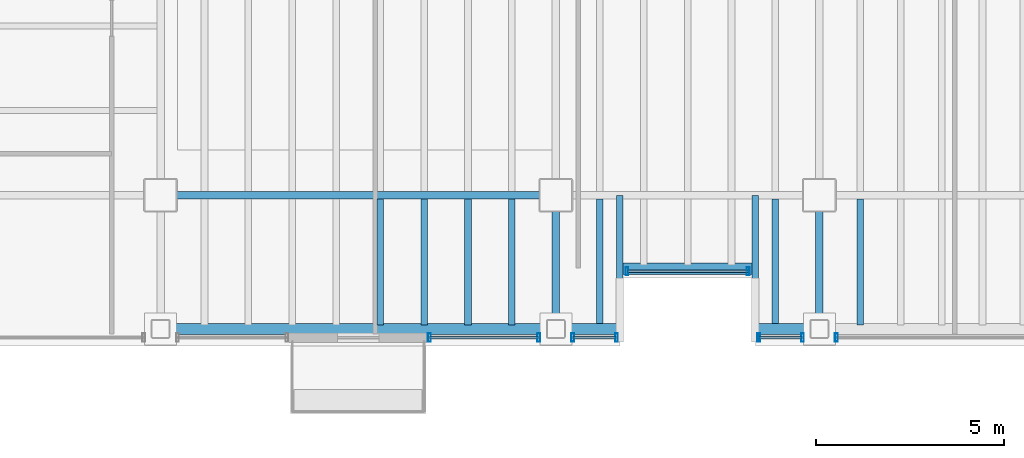
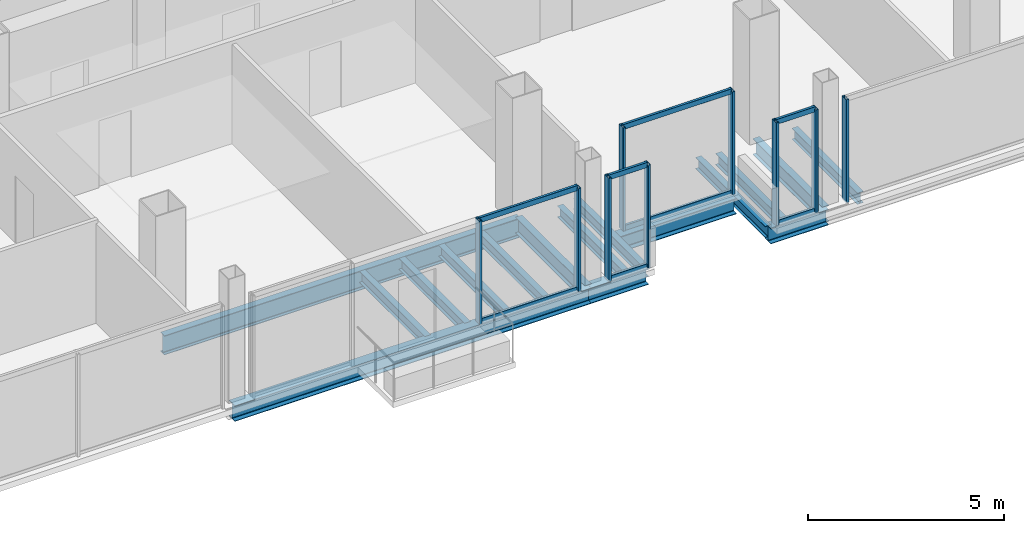
# One storey, part 4 of 18: 17 members, 16 beams, 5 elements without a shape of their own.
"""IFC4 building model written with IfcOpenShell, lengths in metres."""

from ifc_helpers import new_model, si_unit, direction, frame, origin, origin_2d, place, context, subcontext, project, spatial, hollow_rectangle, i_section, extrude, material, material_profile, profile_set, type_object, element, aggregate, save


model = new_model("IFC4")

# Units and contexts
model_context = context("Model", 3, precision=1e-05, world=origin(), true_north=direction((0.0, 1.0)))
body_context = subcontext(model_context, "Body", "Model", "MODEL_VIEW")
ifc_project = project(units=[si_unit("LENGTHUNIT", "METRE"), si_unit("AREAUNIT", "SQUARE_METRE"), si_unit("VOLUMEUNIT", "CUBIC_METRE"), si_unit("PLANEANGLEUNIT", "RADIAN"), si_unit("MASSUNIT", "GRAM", prefix="KILO")], contexts=[model_context])

# Site, building, storey
site_placement = place(None, origin())
site = spatial("IfcSite", under=ifc_project, at=site_placement, CompositionType="ELEMENT")
building_placement = place(site_placement, origin())
building = spatial("IfcBuilding", under=site, at=building_placement, Name="Noeulbin Bourse Tower", CompositionType="ELEMENT")
storey_placement = place(building_placement, frame((0.0, 0.0, 161.699951171875)))
storey = spatial("IfcBuildingStorey", under=building, at=storey_placement, Name="L40", CompositionType="ELEMENT", Elevation=161.699951171875)

# Beams
ifc_material_1 = material(Name="Steel S355", Category="steel")
ifc_material_profile_1 = material_profile(ifc_material_1, i_section(OverallWidth=0.199951171875, OverallDepth=0.5, WebThickness=0.010009765625, FlangeThickness=0.01611328125, FilletRadius=0.02001953125, at=origin_2d()), Name="H-500x200x10x16", Category="LoadBearing")
ifc_profile_set_1 = profile_set([ifc_material_profile_1], Name="Steel S355")
beam_type_1 = type_object("IfcBeamType", Name="BM-GRD-500", PredefinedType="USERDEFINED", material=ifc_profile_set_1)
for number, where, z_axis, x_axis, name in (
    (1, (24.0, 16.449951171875, -0.429931640625), (0.0, 1.0, 0.0), (-1.0, 0.0, 0.0), "Tower Primary Girder NS L40-2.1"),
    (2, (31.0, 16.449951171875, -0.429931640625), (0.0, 1.0, 0.0), (-1.0, 0.0, 0.0), "Tower Primary Girder NS L40-3.1"),
):
    element("IfcBeam", number, at=place(storey_placement, frame(where, z_axis=z_axis, x_axis=x_axis)), inside=storey, type_object=beam_type_1, Name=name, ObjectType="GIRDER", PredefinedType="USERDEFINED", context=body_context, shape_type="SweptSolid", body=[
        extrude(i_section(OverallWidth=0.199951171875, OverallDepth=0.5, WebThickness=0.010009765625, FlangeThickness=0.01611328125, FilletRadius=0.02001953125, at=origin_2d()), origin(), (0.0, 0.0, 1.0), 3.550048828125),
    ])
ifc_material_profile_2 = material_profile(ifc_material_1, i_section(OverallWidth=0.199951171875, OverallDepth=0.60009765625, WebThickness=0.010986328125, FlangeThickness=0.01708984375, FilletRadius=0.02197265625, at=origin_2d()), Name="H-600x200x11x17", Category="LoadBearing")
ifc_profile_set_2 = profile_set([ifc_material_profile_2], Name="Steel S355")
beam_type_2 = type_object("IfcBeamType", Name="BM-GRD-600", PredefinedType="USERDEFINED", material=ifc_profile_set_2)
beam_1_placement = place(storey_placement, frame((13.5, 20.0, -0.47998046875), z_axis=(1.0, 0.0, 0.0), x_axis=(0.0, 1.0, 0.0)))
element("IfcBeam", 3, at=beam_1_placement, inside=storey, type_object=beam_type_2, Name="Tower Primary Girder EW L40-1.2", ObjectType="GIRDER", PredefinedType="USERDEFINED", context=body_context, shape_type="SweptSolid", body=[
    extrude(i_section(OverallWidth=0.199951171875, OverallDepth=0.60009765625, WebThickness=0.010986328125, FlangeThickness=0.01708984375, FilletRadius=0.02197265625, at=origin_2d()), origin(), (0.0, 0.0, 1.0), 10.5),
])
ifc_material_profile_3 = material_profile(ifc_material_1, i_section(OverallWidth=0.175048828125, OverallDepth=0.35009765625, WebThickness=0.007080078125, FlangeThickness=0.010986328125, FilletRadius=0.013916015625, at=origin_2d()), Name="H-350x175x7x11", Category="LoadBearing")
ifc_profile_set_3 = profile_set([ifc_material_profile_3], Name="Steel S355")
beam_type_3 = type_object("IfcBeamType", Name="BM-JST-350", PredefinedType="JOIST", material=ifc_profile_set_3)
for number, where, z_axis, x_axis, name in (
    (4, (25.699951171875, 16.449951171875, -0.35498046875), (0.0, 1.0, 0.0), (-1.0, 0.0, 0.0), "BM-L40-SRT-W"),
    (5, (29.300048828125, 16.449951171875, -0.35498046875), (0.0, 1.0, 0.0), (-1.0, 0.0, 0.0), "BM-L40-SRT-E"),
):
    element("IfcBeam", number, at=place(storey_placement, frame(where, z_axis=z_axis, x_axis=x_axis)), inside=storey, type_object=beam_type_3, Name=name, PredefinedType="JOIST", context=body_context, shape_type="SweptSolid", body=[
        extrude(i_section(OverallWidth=0.175048828125, OverallDepth=0.35009765625, WebThickness=0.007080078125, FlangeThickness=0.010986328125, FilletRadius=0.013916015625, at=origin_2d()), origin(), (0.0, 0.0, 1.0), 3.550048828125),
    ])
for number, where, z_axis, x_axis, name in (
    (6, (19.333251953125, 16.550048828125, -0.35498046875), (0.0, 1.0, 0.0), (-1.0, 0.0, 0.0), "Tower Composite Joist L40-13"),
    (7, (20.5, 16.550048828125, -0.35498046875), (0.0, 1.0, 0.0), (-1.0, 0.0, 0.0), "Tower Composite Joist L40-16"),
    (8, (21.666748046875, 16.550048828125, -0.35498046875), (0.0, 1.0, 0.0), (-1.0, 0.0, 0.0), "Tower Composite Joist L40-19"),
    (9, (22.833251953125, 16.550048828125, -0.35498046875), (0.0, 1.0, 0.0), (-1.0, 0.0, 0.0), "Tower Composite Joist L40-22"),
    (10, (25.166748046875, 16.550048828125, -0.35498046875), (0.0, 1.0, 0.0), (-1.0, 0.0, 0.0), "Tower Composite Joist L40-25"),
    (11, (29.833251953125, 16.550048828125, -0.35498046875), (0.0, 1.0, 0.0), (-1.0, 0.0, 0.0), "Tower Composite Joist L40-37"),
    (12, (32.083251953125, 16.550048828125, -0.35498046875), (0.0, 1.0, 0.0), (-1.0, 0.0, 0.0), "Tower Composite Joist L40-40"),
):
    element("IfcBeam", number, at=place(storey_placement, frame(where, z_axis=z_axis, x_axis=x_axis)), inside=storey, type_object=beam_type_3, Name=name, PredefinedType="JOIST", context=body_context, shape_type="SweptSolid", body=[
        extrude(i_section(OverallWidth=0.175048828125, OverallDepth=0.35009765625, WebThickness=0.007080078125, FlangeThickness=0.010986328125, FilletRadius=0.013916015625, at=origin_2d()), origin(), (0.0, 0.0, 1.0), 3.349853515625),
    ])
ifc_material_profile_4 = material_profile(ifc_material_1, i_section(OverallWidth=0.300048828125, OverallDepth=0.488037109375, WebThickness=0.010986328125, FlangeThickness=0.01806640625, FilletRadius=0.02197265625, at=origin_2d()), Name="H-488x300x11x18", Category="LoadBearing")
ifc_profile_set_4 = profile_set([ifc_material_profile_4], Name="Steel S355")
beam_type_4 = type_object("IfcBeamType", Name="BM-SPN-488", PredefinedType="SPANDREL", material=ifc_profile_set_4)
beam_2_placement = place(storey_placement, frame((13.5, 16.449951171875, -0.424072265625), z_axis=(1.0, 0.0, 0.0), x_axis=(0.0, 1.0, 0.0)))
element("IfcBeam", 13, at=beam_2_placement, inside=storey, type_object=beam_type_4, Name="South Spandrel L40-1", PredefinedType="SPANDREL", context=body_context, shape_type="SweptSolid", body=[
    extrude(i_section(OverallWidth=0.300048828125, OverallDepth=0.488037109375, WebThickness=0.010986328125, FlangeThickness=0.01806640625, FilletRadius=0.02197265625, at=origin_2d()), origin(), (0.0, 0.0, 1.0), 10.5),
])
beam_3_placement = place(storey_placement, frame((25.78759765625, 18.050048828125, -0.424072265625), z_axis=(1.0, 0.0, 0.0), x_axis=(0.0, 1.0, 0.0)))
element("IfcBeam", 14, at=beam_3_placement, inside=storey, type_object=beam_type_4, Name="South Recess Spandrel L40-2B", PredefinedType="SPANDREL", context=body_context, shape_type="SweptSolid", body=[
    extrude(i_section(OverallWidth=0.300048828125, OverallDepth=0.488037109375, WebThickness=0.010986328125, FlangeThickness=0.01806640625, FilletRadius=0.02197265625, at=origin_2d()), origin(), (0.0, 0.0, 1.0), 3.4248046875),
])
for number, where, z_axis, x_axis, name in (
    (15, (24.0, 16.449951171875, -0.424072265625), (1.0, 0.0, 0.0), (0.0, 1.0, 0.0), "South Spandrel L40-2A"),
    (16, (29.300048828125, 16.449951171875, -0.424072265625), (1.0, 0.0, 0.0), (0.0, 1.0, 0.0), "South Spandrel L40-2C"),
):
    element("IfcBeam", number, at=place(storey_placement, frame(where, z_axis=z_axis, x_axis=x_axis)), inside=storey, type_object=beam_type_4, Name=name, PredefinedType="SPANDREL", context=body_context, shape_type="SweptSolid", body=[
        extrude(i_section(OverallWidth=0.300048828125, OverallDepth=0.488037109375, WebThickness=0.010986328125, FlangeThickness=0.01806640625, FilletRadius=0.02197265625, at=origin_2d()), origin(), (0.0, 0.0, 1.0), 1.699951171875),
    ])

# Curtain wall, members
ifc_material_2 = material(Name="Dark Tinted Triple Glazing", Category="glass")
curtain_wall_type = type_object("IfcCurtainWallType", Name="CW-SYS-3", PredefinedType="NOTDEFINED", material=ifc_material_2)
curtain_wall_1_placement = place(storey_placement, origin())
curtain_wall_1 = element("IfcCurtainWall", 17, at=curtain_wall_1_placement, inside=storey, type_object=curtain_wall_type, Name="Unitised Curtain Wall CW-L40-SREC", PredefinedType="NOTDEFINED")
ifc_material_3 = material(Name="Anodised Aluminium 6063-T6", Category="aluminium")
ifc_material_profile_5 = material_profile(ifc_material_3, hollow_rectangle(XDim=0.074951171875, YDim=0.219970703125, WallThickness=0.0048828125, InnerFilletRadius=0.00244140625, OuterFilletRadius=0.0048828125, at=origin_2d()), Name="ALU-MULL-75x220x5", Category="LoadBearing")
ifc_profile_set_5 = profile_set([ifc_material_profile_5], Name="Anodised Aluminium 6063-T6")
member_type_1 = type_object("IfcMemberType", Name="CW-SYS-3-MUL", PredefinedType="MULLION", material=ifc_profile_set_5)
member_1_placement = place(storey_placement, frame((25.889892578125, 17.97998046875, -0.02001953125), z_axis=(0.0, 0.0, 1.0), x_axis=(1.0, 0.0, 0.0)))
member_1 = element("IfcMember", 18, at=member_1_placement, type_object=member_type_1, Name="Curtain Wall Mullion CW-L40-SREC-M00", PredefinedType="MULLION", context=body_context, shape_type="SweptSolid", body=[
    extrude(hollow_rectangle(XDim=0.074951171875, YDim=0.219970703125, WallThickness=0.0048828125, InnerFilletRadius=0.00244140625, OuterFilletRadius=0.0048828125, at=origin_2d()), origin(), (0.0, 0.0, 1.0), 3.219970703125),
])
member_2_placement = place(storey_placement, frame((29.110107421875, 17.97998046875, -0.02001953125), z_axis=(0.0, 0.0, 1.0), x_axis=(1.0, 0.0, 0.0)))
member_2 = element("IfcMember", 19, at=member_2_placement, type_object=member_type_1, Name="Curtain Wall Mullion CW-L40-SREC-M01", PredefinedType="MULLION", context=body_context, shape_type="SweptSolid", body=[
    extrude(hollow_rectangle(XDim=0.074951171875, YDim=0.219970703125, WallThickness=0.0048828125, InnerFilletRadius=0.00244140625, OuterFilletRadius=0.0048828125, at=origin_2d()), origin(), (0.0, 0.0, 1.0), 3.219970703125),
])

curtain_wall_2_placement = place(storey_placement, origin())
curtain_wall_2 = element("IfcCurtainWall", 20, at=curtain_wall_2_placement, inside=storey, type_object=curtain_wall_type, Name="Unitised Curtain Wall CW-L40-S2-S1", PredefinedType="NOTDEFINED")
member_3_placement = place(storey_placement, frame((20.639892578125, 16.219970703125, -0.02001953125), z_axis=(0.0, 0.0, 1.0), x_axis=(1.0, 0.0, 0.0)))
member_3 = element("IfcMember", 21, at=member_3_placement, type_object=member_type_1, Name="Curtain Wall Mullion CW-L40-S2-S1-M00", PredefinedType="MULLION", context=body_context, shape_type="SweptSolid", body=[
    extrude(hollow_rectangle(XDim=0.074951171875, YDim=0.219970703125, WallThickness=0.0048828125, InnerFilletRadius=0.00244140625, OuterFilletRadius=0.0048828125, at=origin_2d()), origin(), (0.0, 0.0, 1.0), 3.219970703125),
])
member_4_placement = place(storey_placement, frame((23.550048828125, 16.219970703125, -0.02001953125), z_axis=(0.0, 0.0, 1.0), x_axis=(1.0, 0.0, 0.0)))
member_4 = element("IfcMember", 22, at=member_4_placement, type_object=member_type_1, Name="Curtain Wall Mullion CW-L40-S2-S1-M01", PredefinedType="MULLION", context=body_context, shape_type="SweptSolid", body=[
    extrude(hollow_rectangle(XDim=0.074951171875, YDim=0.219970703125, WallThickness=0.0048828125, InnerFilletRadius=0.00244140625, OuterFilletRadius=0.0048828125, at=origin_2d()), origin(), (0.0, 0.0, 1.0), 3.219970703125),
])

curtain_wall_3_placement = place(storey_placement, origin())
curtain_wall_3 = element("IfcCurtainWall", 23, at=curtain_wall_3_placement, inside=storey, type_object=curtain_wall_type, Name="Unitised Curtain Wall CW-L40-S2-S2", PredefinedType="NOTDEFINED")
member_5_placement = place(storey_placement, frame((24.449951171875, 16.219970703125, -0.02001953125), z_axis=(0.0, 0.0, 1.0), x_axis=(1.0, 0.0, 0.0)))
member_5 = element("IfcMember", 24, at=member_5_placement, type_object=member_type_1, Name="Curtain Wall Mullion CW-L40-S2-S2-M00", PredefinedType="MULLION", context=body_context, shape_type="SweptSolid", body=[
    extrude(hollow_rectangle(XDim=0.074951171875, YDim=0.219970703125, WallThickness=0.0048828125, InnerFilletRadius=0.00244140625, OuterFilletRadius=0.0048828125, at=origin_2d()), origin(), (0.0, 0.0, 1.0), 3.219970703125),
])
member_6_placement = place(storey_placement, frame((25.610107421875, 16.219970703125, -0.02001953125), z_axis=(0.0, 0.0, 1.0), x_axis=(1.0, 0.0, 0.0)))
member_6 = element("IfcMember", 25, at=member_6_placement, type_object=member_type_1, Name="Curtain Wall Mullion CW-L40-S2-S2-M01", PredefinedType="MULLION", context=body_context, shape_type="SweptSolid", body=[
    extrude(hollow_rectangle(XDim=0.074951171875, YDim=0.219970703125, WallThickness=0.0048828125, InnerFilletRadius=0.00244140625, OuterFilletRadius=0.0048828125, at=origin_2d()), origin(), (0.0, 0.0, 1.0), 3.219970703125),
])

curtain_wall_4_placement = place(storey_placement, origin())
curtain_wall_4 = element("IfcCurtainWall", 26, at=curtain_wall_4_placement, inside=storey, type_object=curtain_wall_type, Name="Unitised Curtain Wall CW-L40-S3-S1", PredefinedType="NOTDEFINED")
member_7_placement = place(storey_placement, frame((29.389892578125, 16.219970703125, -0.02001953125), z_axis=(0.0, 0.0, 1.0), x_axis=(1.0, 0.0, 0.0)))
member_7 = element("IfcMember", 27, at=member_7_placement, type_object=member_type_1, Name="Curtain Wall Mullion CW-L40-S3-S1-M00", PredefinedType="MULLION", context=body_context, shape_type="SweptSolid", body=[
    extrude(hollow_rectangle(XDim=0.074951171875, YDim=0.219970703125, WallThickness=0.0048828125, InnerFilletRadius=0.00244140625, OuterFilletRadius=0.0048828125, at=origin_2d()), origin(), (0.0, 0.0, 1.0), 3.219970703125),
])
member_8_placement = place(storey_placement, frame((30.550048828125, 16.219970703125, -0.02001953125), z_axis=(0.0, 0.0, 1.0), x_axis=(1.0, 0.0, 0.0)))
member_8 = element("IfcMember", 28, at=member_8_placement, type_object=member_type_1, Name="Curtain Wall Mullion CW-L40-S3-S1-M01", PredefinedType="MULLION", context=body_context, shape_type="SweptSolid", body=[
    extrude(hollow_rectangle(XDim=0.074951171875, YDim=0.219970703125, WallThickness=0.0048828125, InnerFilletRadius=0.00244140625, OuterFilletRadius=0.0048828125, at=origin_2d()), origin(), (0.0, 0.0, 1.0), 3.219970703125),
])

# Curtain wall, member
curtain_wall_5_placement = place(storey_placement, origin())
curtain_wall_5 = element("IfcCurtainWall", 29, at=curtain_wall_5_placement, inside=storey, type_object=curtain_wall_type, Name="Unitised Curtain Wall CW-L40-S3-S2", PredefinedType="NOTDEFINED")
member_9_placement = place(storey_placement, frame((31.449951171875, 16.219970703125, -0.02001953125), z_axis=(0.0, 0.0, 1.0), x_axis=(1.0, 0.0, 0.0)))
member_9 = element("IfcMember", 30, at=member_9_placement, type_object=member_type_1, Name="Curtain Wall Mullion CW-L40-S3-S2-M00", PredefinedType="MULLION", context=body_context, shape_type="SweptSolid", body=[
    extrude(hollow_rectangle(XDim=0.074951171875, YDim=0.219970703125, WallThickness=0.0048828125, InnerFilletRadius=0.00244140625, OuterFilletRadius=0.0048828125, at=origin_2d()), origin(), (0.0, 0.0, 1.0), 3.219970703125),
])
aggregate(curtain_wall_5, [member_9])

# Member
ifc_material_profile_6 = material_profile(ifc_material_3, hollow_rectangle(XDim=0.074951171875, YDim=0.159912109375, WallThickness=0.0048828125, InnerFilletRadius=0.00244140625, OuterFilletRadius=0.0048828125, at=origin_2d()), Name="ALU-TRAN-75x160x5", Category="LoadBearing")
ifc_profile_set_6 = profile_set([ifc_material_profile_6], Name="Anodised Aluminium 6063-T6")
member_type_2 = type_object("IfcMemberType", Name="CW-SYS-3-TRN", PredefinedType="USERDEFINED", material=ifc_profile_set_6)
member_10_placement = place(storey_placement, frame((25.89990234375, 17.97998046875, 0.010009765625), z_axis=(1.0, 0.0, 0.0), x_axis=(0.0, 1.0, 0.0)))
member_10 = element("IfcMember", 31, at=member_10_placement, type_object=member_type_2, Name="Curtain Wall Transom CW-L40-SREC-T00", ObjectType="TRANSOM", PredefinedType="USERDEFINED", context=body_context, shape_type="SweptSolid", body=[
    extrude(hollow_rectangle(XDim=0.074951171875, YDim=0.159912109375, WallThickness=0.0048828125, InnerFilletRadius=0.00244140625, OuterFilletRadius=0.0048828125, at=origin_2d()), origin(), (0.0, 0.0, 1.0), 3.2001953125),
])

member_11_placement = place(storey_placement, frame((25.89990234375, 17.97998046875, 3.170166015625), z_axis=(1.0, 0.0, 0.0), x_axis=(0.0, 1.0, 0.0)))
member_11 = element("IfcMember", 32, at=member_11_placement, type_object=member_type_2, Name="Curtain Wall Transom CW-L40-SREC-T01", ObjectType="TRANSOM", PredefinedType="USERDEFINED", context=body_context, shape_type="SweptSolid", body=[
    extrude(hollow_rectangle(XDim=0.074951171875, YDim=0.159912109375, WallThickness=0.0048828125, InnerFilletRadius=0.00244140625, OuterFilletRadius=0.0048828125, at=origin_2d()), origin(), (0.0, 0.0, 1.0), 3.2001953125),
])

aggregate(curtain_wall_1, [member_1, member_2, member_10, member_11])

member_12_placement = place(storey_placement, frame((20.64990234375, 16.219970703125, 0.010009765625), z_axis=(1.0, 0.0, 0.0), x_axis=(0.0, 1.0, 0.0)))
member_12 = element("IfcMember", 33, at=member_12_placement, type_object=member_type_2, Name="Curtain Wall Transom CW-L40-S2-S1-T00", ObjectType="TRANSOM", PredefinedType="USERDEFINED", context=body_context, shape_type="SweptSolid", body=[
    extrude(hollow_rectangle(XDim=0.074951171875, YDim=0.159912109375, WallThickness=0.0048828125, InnerFilletRadius=0.00244140625, OuterFilletRadius=0.0048828125, at=origin_2d()), origin(), (0.0, 0.0, 1.0), 2.89013671875),
])

member_13_placement = place(storey_placement, frame((20.64990234375, 16.219970703125, 3.170166015625), z_axis=(1.0, 0.0, 0.0), x_axis=(0.0, 1.0, 0.0)))
member_13 = element("IfcMember", 34, at=member_13_placement, type_object=member_type_2, Name="Curtain Wall Transom CW-L40-S2-S1-T01", ObjectType="TRANSOM", PredefinedType="USERDEFINED", context=body_context, shape_type="SweptSolid", body=[
    extrude(hollow_rectangle(XDim=0.074951171875, YDim=0.159912109375, WallThickness=0.0048828125, InnerFilletRadius=0.00244140625, OuterFilletRadius=0.0048828125, at=origin_2d()), origin(), (0.0, 0.0, 1.0), 2.89013671875),
])

aggregate(curtain_wall_2, [member_3, member_4, member_12, member_13])

member_14_placement = place(storey_placement, frame((24.4599609375, 16.219970703125, 0.010009765625), z_axis=(1.0, 0.0, 0.0), x_axis=(0.0, 1.0, 0.0)))
member_14 = element("IfcMember", 35, at=member_14_placement, type_object=member_type_2, Name="Curtain Wall Transom CW-L40-S2-S2-T00", ObjectType="TRANSOM", PredefinedType="USERDEFINED", context=body_context, shape_type="SweptSolid", body=[
    extrude(hollow_rectangle(XDim=0.074951171875, YDim=0.159912109375, WallThickness=0.0048828125, InnerFilletRadius=0.00244140625, OuterFilletRadius=0.0048828125, at=origin_2d()), origin(), (0.0, 0.0, 1.0), 1.14013671875),
])

member_15_placement = place(storey_placement, frame((24.4599609375, 16.219970703125, 3.170166015625), z_axis=(1.0, 0.0, 0.0), x_axis=(0.0, 1.0, 0.0)))
member_15 = element("IfcMember", 36, at=member_15_placement, type_object=member_type_2, Name="Curtain Wall Transom CW-L40-S2-S2-T01", ObjectType="TRANSOM", PredefinedType="USERDEFINED", context=body_context, shape_type="SweptSolid", body=[
    extrude(hollow_rectangle(XDim=0.074951171875, YDim=0.159912109375, WallThickness=0.0048828125, InnerFilletRadius=0.00244140625, OuterFilletRadius=0.0048828125, at=origin_2d()), origin(), (0.0, 0.0, 1.0), 1.14013671875),
])

aggregate(curtain_wall_3, [member_5, member_6, member_14, member_15])

member_16_placement = place(storey_placement, frame((29.39990234375, 16.219970703125, 0.010009765625), z_axis=(1.0, 0.0, 0.0), x_axis=(0.0, 1.0, 0.0)))
member_16 = element("IfcMember", 37, at=member_16_placement, type_object=member_type_2, Name="Curtain Wall Transom CW-L40-S3-S1-T00", ObjectType="TRANSOM", PredefinedType="USERDEFINED", context=body_context, shape_type="SweptSolid", body=[
    extrude(hollow_rectangle(XDim=0.074951171875, YDim=0.159912109375, WallThickness=0.0048828125, InnerFilletRadius=0.00244140625, OuterFilletRadius=0.0048828125, at=origin_2d()), origin(), (0.0, 0.0, 1.0), 1.14013671875),
])

member_17_placement = place(storey_placement, frame((29.39990234375, 16.219970703125, 3.170166015625), z_axis=(1.0, 0.0, 0.0), x_axis=(0.0, 1.0, 0.0)))
member_17 = element("IfcMember", 38, at=member_17_placement, type_object=member_type_2, Name="Curtain Wall Transom CW-L40-S3-S1-T01", ObjectType="TRANSOM", PredefinedType="USERDEFINED", context=body_context, shape_type="SweptSolid", body=[
    extrude(hollow_rectangle(XDim=0.074951171875, YDim=0.159912109375, WallThickness=0.0048828125, InnerFilletRadius=0.00244140625, OuterFilletRadius=0.0048828125, at=origin_2d()), origin(), (0.0, 0.0, 1.0), 1.14013671875),
])

aggregate(curtain_wall_4, [member_7, member_8, member_16, member_17])

save(model, "model.ifc")
